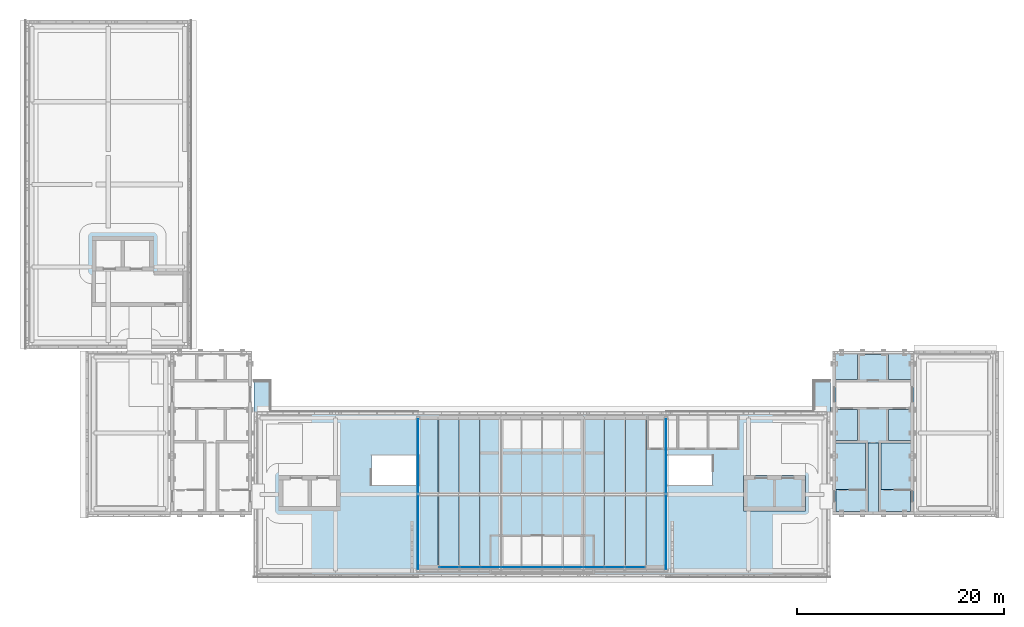
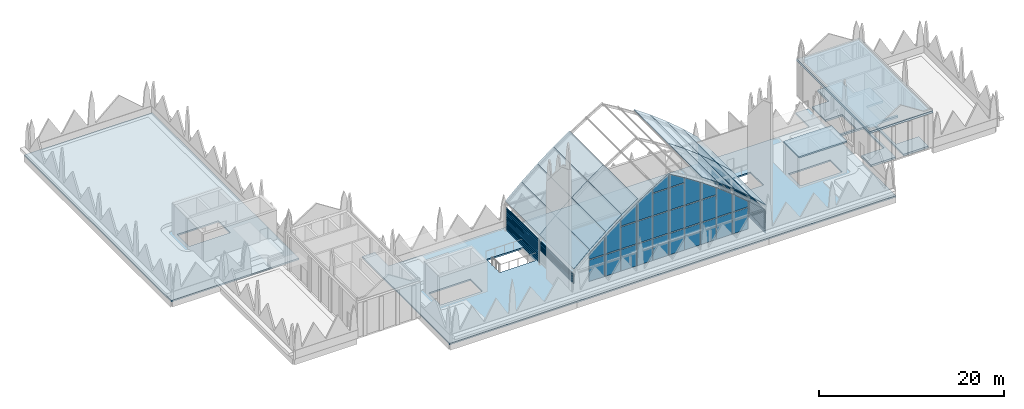
# One storey, part 8 of 18: 69 plates, 21 slabs, 1 element without a shape of its own.
"""IFC4 building model written with IfcOpenShell, lengths in metres."""

from ifc_helpers import new_model, si_unit, direction, frame, origin, origin_2d, place, context, subcontext, project, spatial, polyline, rectangle, outline, extrude, material, layer, layer_set, type_object, element, aggregate, save


model = new_model("IFC4")

# Units and contexts
model_context = context("Model", 3, precision=1e-05, world=origin(), true_north=direction((0.0, 1.0)))
body_context = subcontext(model_context, "Body", "Model", "MODEL_VIEW")
ifc_project = project(units=[si_unit("LENGTHUNIT", "METRE"), si_unit("AREAUNIT", "SQUARE_METRE"), si_unit("VOLUMEUNIT", "CUBIC_METRE"), si_unit("PLANEANGLEUNIT", "RADIAN"), si_unit("MASSUNIT", "GRAM", prefix="KILO")], contexts=[model_context])

# Site, building, storey
site_placement = place(None, origin())
site = spatial("IfcSite", under=ifc_project, at=site_placement, CompositionType="ELEMENT")
building_placement = place(site_placement, origin())
building = spatial("IfcBuilding", under=site, at=building_placement, Name="Lantern Court Media Centre", CompositionType="ELEMENT")
storey_placement = place(building_placement, frame((0.0, 0.0, 33.60009765625)))
storey = spatial("IfcBuildingStorey", under=building, at=storey_placement, Name="R00", CompositionType="ELEMENT", Elevation=33.60009765625)

# Slab
ifc_material_1 = material(Name="Concrete C40", Category="concrete")
ifc_layer_1 = layer(ifc_material_1, 0.25)
ifc_layer_set_1 = layer_set([ifc_layer_1], Name="Concrete C40")
slab_type_1 = type_object("IfcSlabType", Name="Core floor slab 250", PredefinedType="FLOOR", material=ifc_layer_set_1)
slab_1_placement = place(storey_placement, frame((0.0, 0.0, -0.25)))
element("IfcSlab", 1, at=slab_1_placement, inside=storey, type_object=slab_type_1, Name="R00 SE core floor", PredefinedType="FLOOR", context=body_context, shape_type="SweptSolid", body=[
    extrude(outline(polyline([(87.64990234375, 55.199951171875), (87.64990234375, 54.94970703125), (84.80029296875, 54.94970703125), (84.80029296875, 50.450439453125), (87.64990234375, 50.450439453125), (87.64990234375, 48.35009765625), (84.550048828125, 48.35009765625), (84.550048828125, 54.949951171875), (83.550048828125, 54.949951171875), (83.550048828125, 48.35009765625), (80.449951171875, 48.35009765625), (80.449951171875, 50.450439453125), (83.299560546875, 50.450439453125), (83.299560546875, 54.94970703125), (80.449951171875, 54.94970703125), (80.449951171875, 55.199951171875), (82.550048828125, 55.199951171875), (82.550048828125, 58.199951171875), (80.449951171875, 58.199951171875), (80.449951171875, 61.10009765625), (82.550048828125, 61.10009765625), (82.550048828125, 63.550048828125), (85.550048828125, 63.550048828125), (85.550048828125, 61.10009765625), (87.64990234375, 61.10009765625), (87.64990234375, 58.199951171875), (85.550048828125, 58.199951171875), (85.550048828125, 55.199951171875), (87.64990234375, 55.199951171875)])), origin(), (0.0, 0.0, 1.0), 0.25),
])

# Curtain wall, plates
ifc_material_2 = material(Name="Aluminium and glass", Category="aluminium")
ifc_layer_2 = layer(ifc_material_2, 0.14990234375)
ifc_layer_set_2 = layer_set([ifc_layer_2], Name="Aluminium and glass")
curtain_wall_type = type_object("IfcCurtainWallType", Name="Hall lancet glazing", PredefinedType="NOTDEFINED", material=ifc_layer_set_2)
curtain_wall_placement = place(storey_placement, origin())
curtain_wall = element("IfcCurtainWall", 2, at=curtain_wall_placement, inside=storey, type_object=curtain_wall_type, Name="Terrace pavilion HCW-V30 glazing", PredefinedType="NOTDEFINED")
ifc_material_3 = material(Name="Laminated glass 6+6", Category="glass")
ifc_layer_3 = layer(ifc_material_3, 0.028076171875)
ifc_layer_set_3 = layer_set([ifc_layer_3], Name="Laminated glass 6+6")
plate_type_1 = type_object("IfcPlateType", Name="HP", PredefinedType="CURTAIN_PANEL", material=ifc_layer_set_3)
plate_1_placement = place(storey_placement, frame((43.014892578125, 42.949951171875, 1.31982421875), z_axis=(0.0, 0.0, 1.0), x_axis=(1.0, 0.0, 0.0)))
plate_1 = element("IfcPlate", 3, at=plate_1_placement, type_object=plate_type_1, Name="HCW-V30 panel 1.1", PredefinedType="CURTAIN_PANEL", context=body_context, shape_type="SweptSolid", body=[
    extrude(rectangle(XDim=1.909912109375, YDim=0.028076171875, at=origin_2d()), origin(), (0.0, 0.0, 1.0), 2.820068359375),
])
plate_2_placement = place(storey_placement, frame((42.06005859375, 42.93603515625, 4.260009765625), z_axis=(0.0, -1.0, 0.0), x_axis=(1.0, 0.0, 0.0)))
plate_2 = element("IfcPlate", 4, at=plate_2_placement, type_object=plate_type_1, Name="HCW-V30 head panel", PredefinedType="CURTAIN_PANEL", context=body_context, shape_type="SweptSolid", body=[
    extrude(outline(polyline([(0.0, 0.0), (1.909912109375, 0.0), (1.909912109375, 2.33447265625), (0.0, 0.7216796875), (0.0, 0.0)])), origin(), (0.0, 0.0, -1.0), 0.028076171875),
])
plate_3_placement = place(storey_placement, frame((45.0, 42.949951171875, 1.31982421875), z_axis=(0.0, 0.0, 1.0), x_axis=(1.0, 0.0, 0.0)))
plate_3 = element("IfcPlate", 5, at=plate_3_placement, type_object=plate_type_1, Name="HCW-V30 panel 2.1", PredefinedType="CURTAIN_PANEL", context=body_context, shape_type="SweptSolid", body=[
    extrude(rectangle(XDim=1.93994140625, YDim=0.028076171875, at=origin_2d()), origin(), (0.0, 0.0, 1.0), 2.820068359375),
])
plate_4_placement = place(storey_placement, frame((44.030029296875, 42.93603515625, 4.260009765625), z_axis=(0.0, -1.0, 0.0), x_axis=(1.0, 0.0, 0.0)))
plate_4 = element("IfcPlate", 6, at=plate_4_placement, type_object=plate_type_1, Name="HCW-V30 head panel", PredefinedType="CURTAIN_PANEL", context=body_context, shape_type="SweptSolid", body=[
    extrude(outline(polyline([(0.0, 0.0), (1.93994140625, 0.0), (1.93994140625, 3.884521484375), (0.0, 2.383056640625), (0.0, 0.0)])), origin(), (0.0, 0.0, -1.0), 0.028076171875),
])
plate_5_placement = place(storey_placement, frame((47.0, 42.949951171875, 1.31982421875), z_axis=(0.0, 0.0, 1.0), x_axis=(1.0, 0.0, 0.0)))
plate_5 = element("IfcPlate", 7, at=plate_5_placement, type_object=plate_type_1, Name="HCW-V30 panel 3.1", PredefinedType="CURTAIN_PANEL", context=body_context, shape_type="SweptSolid", body=[
    extrude(rectangle(XDim=1.93994140625, YDim=0.028076171875, at=origin_2d()), origin(), (0.0, 0.0, 1.0), 2.820068359375),
])
plate_6_placement = place(storey_placement, frame((47.0, 42.949951171875, 4.260009765625), z_axis=(0.0, 0.0, 1.0), x_axis=(1.0, 0.0, 0.0)))
plate_6 = element("IfcPlate", 8, at=plate_6_placement, type_object=plate_type_1, Name="HCW-V30 panel 3.2", PredefinedType="CURTAIN_PANEL", context=body_context, shape_type="SweptSolid", body=[
    extrude(rectangle(XDim=1.93994140625, YDim=0.028076171875, at=origin_2d()), origin(), (0.0, 0.0, 1.0), 2.8798828125),
])
plate_7_placement = place(storey_placement, frame((46.030029296875, 42.93603515625, 7.260009765625), z_axis=(0.0, -1.0, 0.0), x_axis=(1.0, 0.0, 0.0)))
plate_7 = element("IfcPlate", 9, at=plate_7_placement, type_object=plate_type_1, Name="HCW-V30 head panel", PredefinedType="CURTAIN_PANEL", context=body_context, shape_type="SweptSolid", body=[
    extrude(outline(polyline([(0.0, 0.0), (1.93994140625, 0.0), (1.93994140625, 2.305908203125), (0.0, 0.928955078125), (0.0, 0.0)])), origin(), (0.0, 0.0, -1.0), 0.028076171875),
])
plate_8_placement = place(storey_placement, frame((49.0, 42.949951171875, 1.31982421875), z_axis=(0.0, 0.0, 1.0), x_axis=(1.0, 0.0, 0.0)))
plate_8 = element("IfcPlate", 10, at=plate_8_placement, type_object=plate_type_1, Name="HCW-V30 panel 4.1", PredefinedType="CURTAIN_PANEL", context=body_context, shape_type="SweptSolid", body=[
    extrude(rectangle(XDim=1.93994140625, YDim=0.028076171875, at=origin_2d()), origin(), (0.0, 0.0, 1.0), 2.820068359375),
])
plate_9_placement = place(storey_placement, frame((49.0, 42.949951171875, 4.260009765625), z_axis=(0.0, 0.0, 1.0), x_axis=(1.0, 0.0, 0.0)))
plate_9 = element("IfcPlate", 11, at=plate_9_placement, type_object=plate_type_1, Name="HCW-V30 panel 4.2", PredefinedType="CURTAIN_PANEL", context=body_context, shape_type="SweptSolid", body=[
    extrude(rectangle(XDim=1.93994140625, YDim=0.028076171875, at=origin_2d()), origin(), (0.0, 0.0, 1.0), 2.8798828125),
])
plate_10_placement = place(storey_placement, frame((48.030029296875, 42.93603515625, 7.260009765625), z_axis=(0.0, -1.0, 0.0), x_axis=(1.0, 0.0, 0.0)))
plate_10 = element("IfcPlate", 12, at=plate_10_placement, type_object=plate_type_1, Name="HCW-V30 head panel", PredefinedType="CURTAIN_PANEL", context=body_context, shape_type="SweptSolid", body=[
    extrude(outline(polyline([(0.0, 0.0), (1.93994140625, 0.0), (1.93994140625, 3.60888671875), (0.0, 2.3466796875), (0.0, 0.0)])), origin(), (0.0, 0.0, -1.0), 0.028076171875),
])
plate_11_placement = place(storey_placement, frame((51.0, 42.949951171875, 1.31982421875), z_axis=(0.0, 0.0, 1.0), x_axis=(1.0, 0.0, 0.0)))
plate_11 = element("IfcPlate", 13, at=plate_11_placement, type_object=plate_type_1, Name="HCW-V30 panel 5.1", PredefinedType="CURTAIN_PANEL", context=body_context, shape_type="SweptSolid", body=[
    extrude(rectangle(XDim=1.93994140625, YDim=0.028076171875, at=origin_2d()), origin(), (0.0, 0.0, 1.0), 2.820068359375),
])
plate_12_placement = place(storey_placement, frame((51.0, 42.949951171875, 4.260009765625), z_axis=(0.0, 0.0, 1.0), x_axis=(1.0, 0.0, 0.0)))
plate_12 = element("IfcPlate", 14, at=plate_12_placement, type_object=plate_type_1, Name="HCW-V30 panel 5.2", PredefinedType="CURTAIN_PANEL", context=body_context, shape_type="SweptSolid", body=[
    extrude(rectangle(XDim=1.93994140625, YDim=0.028076171875, at=origin_2d()), origin(), (0.0, 0.0, 1.0), 2.8798828125),
])
plate_13_placement = place(storey_placement, frame((51.0, 42.949951171875, 7.260009765625), z_axis=(0.0, 0.0, 1.0), x_axis=(1.0, 0.0, 0.0)))
plate_13 = element("IfcPlate", 15, at=plate_13_placement, type_object=plate_type_1, Name="HCW-V30 panel 5.3", PredefinedType="CURTAIN_PANEL", context=body_context, shape_type="SweptSolid", body=[
    extrude(rectangle(XDim=1.93994140625, YDim=0.028076171875, at=origin_2d()), origin(), (0.0, 0.0, 1.0), 2.8798828125),
])
plate_14_placement = place(storey_placement, frame((50.030029296875, 42.93603515625, 10.260009765625), z_axis=(0.0, -1.0, 0.0), x_axis=(1.0, 0.0, 0.0)))
plate_14 = element("IfcPlate", 16, at=plate_14_placement, type_object=plate_type_1, Name="HCW-V30 head panel", PredefinedType="CURTAIN_PANEL", context=body_context, shape_type="SweptSolid", body=[
    extrude(outline(polyline([(0.0, 0.0), (1.93994140625, 0.0), (1.93994140625, 1.802734375), (0.0, 0.646240234375), (0.0, 0.0)])), origin(), (0.0, 0.0, -1.0), 0.028076171875),
])
plate_15_placement = place(storey_placement, frame((53.0, 42.949951171875, 1.31982421875), z_axis=(0.0, 0.0, 1.0), x_axis=(1.0, 0.0, 0.0)))
plate_15 = element("IfcPlate", 17, at=plate_15_placement, type_object=plate_type_1, Name="HCW-V30 panel 6.1", PredefinedType="CURTAIN_PANEL", context=body_context, shape_type="SweptSolid", body=[
    extrude(rectangle(XDim=1.93994140625, YDim=0.028076171875, at=origin_2d()), origin(), (0.0, 0.0, 1.0), 2.820068359375),
])
plate_16_placement = place(storey_placement, frame((53.0, 42.949951171875, 4.260009765625), z_axis=(0.0, 0.0, 1.0), x_axis=(1.0, 0.0, 0.0)))
plate_16 = element("IfcPlate", 18, at=plate_16_placement, type_object=plate_type_1, Name="HCW-V30 panel 6.2", PredefinedType="CURTAIN_PANEL", context=body_context, shape_type="SweptSolid", body=[
    extrude(rectangle(XDim=1.93994140625, YDim=0.028076171875, at=origin_2d()), origin(), (0.0, 0.0, 1.0), 2.8798828125),
])
plate_17_placement = place(storey_placement, frame((53.0, 42.949951171875, 7.260009765625), z_axis=(0.0, 0.0, 1.0), x_axis=(1.0, 0.0, 0.0)))
plate_17 = element("IfcPlate", 19, at=plate_17_placement, type_object=plate_type_1, Name="HCW-V30 panel 6.3", PredefinedType="CURTAIN_PANEL", context=body_context, shape_type="SweptSolid", body=[
    extrude(rectangle(XDim=1.93994140625, YDim=0.028076171875, at=origin_2d()), origin(), (0.0, 0.0, 1.0), 2.8798828125),
])
plate_18_placement = place(storey_placement, frame((52.030029296875, 42.93603515625, 10.260009765625), z_axis=(0.0, -1.0, 0.0), x_axis=(1.0, 0.0, 0.0)))
plate_18 = element("IfcPlate", 20, at=plate_18_placement, type_object=plate_type_1, Name="HCW-V30 head panel", PredefinedType="CURTAIN_PANEL", context=body_context, shape_type="SweptSolid", body=[
    extrude(outline(polyline([(0.0, 0.0), (1.93994140625, 0.0), (1.93994140625, 0.646240234375), (0.0, 1.802734375), (0.0, 0.0)])), origin(), (0.0, 0.0, -1.0), 0.028076171875),
])
plate_19_placement = place(storey_placement, frame((55.0, 42.949951171875, 1.31982421875), z_axis=(0.0, 0.0, 1.0), x_axis=(1.0, 0.0, 0.0)))
plate_19 = element("IfcPlate", 21, at=plate_19_placement, type_object=plate_type_1, Name="HCW-V30 panel 7.1", PredefinedType="CURTAIN_PANEL", context=body_context, shape_type="SweptSolid", body=[
    extrude(rectangle(XDim=1.93994140625, YDim=0.028076171875, at=origin_2d()), origin(), (0.0, 0.0, 1.0), 2.820068359375),
])
plate_20_placement = place(storey_placement, frame((55.0, 42.949951171875, 4.260009765625), z_axis=(0.0, 0.0, 1.0), x_axis=(1.0, 0.0, 0.0)))
plate_20 = element("IfcPlate", 22, at=plate_20_placement, type_object=plate_type_1, Name="HCW-V30 panel 7.2", PredefinedType="CURTAIN_PANEL", context=body_context, shape_type="SweptSolid", body=[
    extrude(rectangle(XDim=1.93994140625, YDim=0.028076171875, at=origin_2d()), origin(), (0.0, 0.0, 1.0), 2.8798828125),
])
plate_21_placement = place(storey_placement, frame((54.030029296875, 42.93603515625, 7.260009765625), z_axis=(0.0, -1.0, 0.0), x_axis=(1.0, 0.0, 0.0)))
plate_21 = element("IfcPlate", 23, at=plate_21_placement, type_object=plate_type_1, Name="HCW-V30 head panel", PredefinedType="CURTAIN_PANEL", context=body_context, shape_type="SweptSolid", body=[
    extrude(outline(polyline([(0.0, 0.0), (1.93994140625, 0.0), (1.93994140625, 2.3466796875), (0.0, 3.60888671875), (0.0, 0.0)])), origin(), (0.0, 0.0, -1.0), 0.028076171875),
])
plate_22_placement = place(storey_placement, frame((57.0, 42.949951171875, 1.31982421875), z_axis=(0.0, 0.0, 1.0), x_axis=(1.0, 0.0, 0.0)))
plate_22 = element("IfcPlate", 24, at=plate_22_placement, type_object=plate_type_1, Name="HCW-V30 panel 8.1", PredefinedType="CURTAIN_PANEL", context=body_context, shape_type="SweptSolid", body=[
    extrude(rectangle(XDim=1.93994140625, YDim=0.028076171875, at=origin_2d()), origin(), (0.0, 0.0, 1.0), 2.820068359375),
])
plate_23_placement = place(storey_placement, frame((57.0, 42.949951171875, 4.260009765625), z_axis=(0.0, 0.0, 1.0), x_axis=(1.0, 0.0, 0.0)))
plate_23 = element("IfcPlate", 25, at=plate_23_placement, type_object=plate_type_1, Name="HCW-V30 panel 8.2", PredefinedType="CURTAIN_PANEL", context=body_context, shape_type="SweptSolid", body=[
    extrude(rectangle(XDim=1.93994140625, YDim=0.028076171875, at=origin_2d()), origin(), (0.0, 0.0, 1.0), 2.8798828125),
])
plate_24_placement = place(storey_placement, frame((56.030029296875, 42.93603515625, 7.260009765625), z_axis=(0.0, -1.0, 0.0), x_axis=(1.0, 0.0, 0.0)))
plate_24 = element("IfcPlate", 26, at=plate_24_placement, type_object=plate_type_1, Name="HCW-V30 head panel", PredefinedType="CURTAIN_PANEL", context=body_context, shape_type="SweptSolid", body=[
    extrude(outline(polyline([(0.0, 0.0), (1.93994140625, 0.0), (1.93994140625, 0.928955078125), (0.0, 2.305908203125), (0.0, 0.0)])), origin(), (0.0, 0.0, -1.0), 0.028076171875),
])
plate_25_placement = place(storey_placement, frame((59.0, 42.949951171875, 1.31982421875), z_axis=(0.0, 0.0, 1.0), x_axis=(1.0, 0.0, 0.0)))
plate_25 = element("IfcPlate", 27, at=plate_25_placement, type_object=plate_type_1, Name="HCW-V30 panel 9.1", PredefinedType="CURTAIN_PANEL", context=body_context, shape_type="SweptSolid", body=[
    extrude(rectangle(XDim=1.93994140625, YDim=0.028076171875, at=origin_2d()), origin(), (0.0, 0.0, 1.0), 2.820068359375),
])
plate_26_placement = place(storey_placement, frame((58.030029296875, 42.93603515625, 4.260009765625), z_axis=(0.0, -1.0, 0.0), x_axis=(1.0, 0.0, 0.0)))
plate_26 = element("IfcPlate", 28, at=plate_26_placement, type_object=plate_type_1, Name="HCW-V30 head panel", PredefinedType="CURTAIN_PANEL", context=body_context, shape_type="SweptSolid", body=[
    extrude(outline(polyline([(0.0, 0.0), (1.93994140625, 0.0), (1.93994140625, 2.383056640625), (0.0, 3.884521484375), (0.0, 0.0)])), origin(), (0.0, 0.0, -1.0), 0.028076171875),
])
plate_27_placement = place(storey_placement, frame((60.985107421875, 42.949951171875, 1.31982421875), z_axis=(0.0, 0.0, 1.0), x_axis=(1.0, 0.0, 0.0)))
plate_27 = element("IfcPlate", 29, at=plate_27_placement, type_object=plate_type_1, Name="HCW-V30 panel 10.1", PredefinedType="CURTAIN_PANEL", context=body_context, shape_type="SweptSolid", body=[
    extrude(rectangle(XDim=1.909912109375, YDim=0.028076171875, at=origin_2d()), origin(), (0.0, 0.0, 1.0), 2.820068359375),
])
plate_28_placement = place(storey_placement, frame((60.030029296875, 42.93603515625, 4.260009765625), z_axis=(0.0, -1.0, 0.0), x_axis=(1.0, 0.0, 0.0)))
plate_28 = element("IfcPlate", 30, at=plate_28_placement, type_object=plate_type_1, Name="HCW-V30 head panel", PredefinedType="CURTAIN_PANEL", context=body_context, shape_type="SweptSolid", body=[
    extrude(outline(polyline([(0.0, 0.0), (1.909912109375, 0.0), (1.909912109375, 0.7216796875), (0.0, 2.33447265625), (0.0, 0.0)])), origin(), (0.0, 0.0, -1.0), 0.028076171875),
])
aggregate(curtain_wall, [plate_1, plate_2, plate_3, plate_4, plate_5, plate_6, plate_7, plate_8, plate_9, plate_10, plate_11, plate_12, plate_13, plate_14, plate_15, plate_16, plate_17, plate_18, plate_19, plate_20, plate_21, plate_22, plate_23, plate_24, plate_25, plate_26, plate_27, plate_28])

# Slab
ifc_layer_4 = layer(ifc_material_1, 0.25)
ifc_layer_set_4 = layer_set([ifc_layer_4], Name="Concrete C40")
slab_type_2 = type_object("IfcSlabType", Name="Head-house roof slab 250", PredefinedType="ROOF", material=ifc_layer_set_4)
slab_2_placement = place(storey_placement, frame((0.0, 0.0, 4.5)))
element("IfcSlab", 31, at=slab_2_placement, inside=storey, type_object=slab_type_2, Name="SE head-house roof", PredefinedType="ROOF", context=body_context, shape_type="SweptSolid", body=[
    extrude(outline(polyline([(88.0, 48.0), (80.10009765625, 48.0), (80.10009765625, 63.89990234375), (88.0, 63.89990234375), (88.0, 48.0)])), origin(), (0.0, 0.0, 1.0), 0.25),
])

# Plates
ifc_material_4 = material(Name="Aluminium, anodised", Category="aluminium")
ifc_layer_5 = layer(ifc_material_4, 0.050048828125)
ifc_layer_set_5 = layer_set([ifc_layer_5], Name="Aluminium, anodised")
plate_type_2 = type_object("IfcPlateType", Name="Pavilion louvre blade", PredefinedType="SHEET", material=ifc_layer_set_5)
for number, where, z_axis, x_axis, name in (
    (32, (40.0, 46.300048828125, 1.94970703125), (0.0, 0.0, 1.0), (1.0, 0.0, 0.0), "Pavilion louvre blade"),
    (33, (40.0, 46.300048828125, 2.19970703125), (0.0, 0.0, 1.0), (1.0, 0.0, 0.0), "Pavilion louvre blade"),
    (34, (40.0, 46.300048828125, 2.44970703125), (0.0, 0.0, 1.0), (1.0, 0.0, 0.0), "Pavilion louvre blade"),
    (35, (40.0, 46.300048828125, 2.69970703125), (0.0, 0.0, 1.0), (1.0, 0.0, 0.0), "Pavilion louvre blade"),
    (36, (40.0, 46.300048828125, 2.94970703125), (0.0, 0.0, 1.0), (1.0, 0.0, 0.0), "Pavilion louvre blade"),
    (37, (40.0, 53.699951171875, 0.19970703125), (0.0, 0.0, 1.0), (1.0, 0.0, 0.0), "Pavilion louvre blade"),
    (38, (40.0, 53.699951171875, 0.44970703125), (0.0, 0.0, 1.0), (1.0, 0.0, 0.0), "Pavilion louvre blade"),
    (39, (40.0, 53.699951171875, 0.69970703125), (0.0, 0.0, 1.0), (1.0, 0.0, 0.0), "Pavilion louvre blade"),
    (40, (40.0, 53.699951171875, 0.94970703125), (0.0, 0.0, 1.0), (1.0, 0.0, 0.0), "Pavilion louvre blade"),
    (41, (40.0, 53.699951171875, 1.19970703125), (0.0, 0.0, 1.0), (1.0, 0.0, 0.0), "Pavilion louvre blade"),
    (42, (40.0, 53.699951171875, 1.44970703125), (0.0, 0.0, 1.0), (1.0, 0.0, 0.0), "Pavilion louvre blade"),
    (43, (40.0, 53.699951171875, 1.69970703125), (0.0, 0.0, 1.0), (1.0, 0.0, 0.0), "Pavilion louvre blade"),
    (44, (40.0, 53.699951171875, 1.94970703125), (0.0, 0.0, 1.0), (1.0, 0.0, 0.0), "Pavilion louvre blade"),
    (45, (40.0, 53.699951171875, 2.19970703125), (0.0, 0.0, 1.0), (1.0, 0.0, 0.0), "Pavilion louvre blade"),
    (46, (40.0, 53.699951171875, 2.44970703125), (0.0, 0.0, 1.0), (1.0, 0.0, 0.0), "Pavilion louvre blade"),
    (47, (40.0, 53.699951171875, 2.69970703125), (0.0, 0.0, 1.0), (1.0, 0.0, 0.0), "Pavilion louvre blade"),
    (48, (40.0, 53.699951171875, 2.94970703125), (0.0, 0.0, 1.0), (1.0, 0.0, 0.0), "Pavilion louvre blade"),
    (49, (64.0, 46.300048828125, 0.19970703125), (0.0, 0.0, 1.0), (1.0, 0.0, 0.0), "Pavilion louvre blade"),
    (50, (64.0, 46.300048828125, 0.44970703125), (0.0, 0.0, 1.0), (1.0, 0.0, 0.0), "Pavilion louvre blade"),
    (51, (64.0, 46.300048828125, 0.69970703125), (0.0, 0.0, 1.0), (1.0, 0.0, 0.0), "Pavilion louvre blade"),
    (52, (64.0, 46.300048828125, 0.94970703125), (0.0, 0.0, 1.0), (1.0, 0.0, 0.0), "Pavilion louvre blade"),
    (53, (64.0, 46.300048828125, 1.19970703125), (0.0, 0.0, 1.0), (1.0, 0.0, 0.0), "Pavilion louvre blade"),
    (54, (64.0, 46.300048828125, 1.44970703125), (0.0, 0.0, 1.0), (1.0, 0.0, 0.0), "Pavilion louvre blade"),
    (55, (64.0, 46.300048828125, 1.69970703125), (0.0, 0.0, 1.0), (1.0, 0.0, 0.0), "Pavilion louvre blade"),
    (56, (64.0, 46.300048828125, 1.94970703125), (0.0, 0.0, 1.0), (1.0, 0.0, 0.0), "Pavilion louvre blade"),
    (57, (64.0, 46.300048828125, 2.19970703125), (0.0, 0.0, 1.0), (1.0, 0.0, 0.0), "Pavilion louvre blade"),
    (58, (64.0, 46.300048828125, 2.44970703125), (0.0, 0.0, 1.0), (1.0, 0.0, 0.0), "Pavilion louvre blade"),
    (59, (64.0, 46.300048828125, 2.69970703125), (0.0, 0.0, 1.0), (1.0, 0.0, 0.0), "Pavilion louvre blade"),
    (60, (64.0, 46.300048828125, 2.94970703125), (0.0, 0.0, 1.0), (1.0, 0.0, 0.0), "Pavilion louvre blade"),
    (61, (64.0, 53.699951171875, 0.19970703125), (0.0, 0.0, 1.0), (1.0, 0.0, 0.0), "Pavilion louvre blade"),
    (62, (64.0, 53.699951171875, 0.44970703125), (0.0, 0.0, 1.0), (1.0, 0.0, 0.0), "Pavilion louvre blade"),
    (63, (64.0, 53.699951171875, 0.69970703125), (0.0, 0.0, 1.0), (1.0, 0.0, 0.0), "Pavilion louvre blade"),
    (64, (64.0, 53.699951171875, 0.94970703125), (0.0, 0.0, 1.0), (1.0, 0.0, 0.0), "Pavilion louvre blade"),
    (65, (64.0, 53.699951171875, 1.19970703125), (0.0, 0.0, 1.0), (1.0, 0.0, 0.0), "Pavilion louvre blade"),
    (66, (64.0, 53.699951171875, 1.44970703125), (0.0, 0.0, 1.0), (1.0, 0.0, 0.0), "Pavilion louvre blade"),
    (67, (64.0, 53.699951171875, 1.69970703125), (0.0, 0.0, 1.0), (1.0, 0.0, 0.0), "Pavilion louvre blade"),
    (68, (64.0, 53.699951171875, 1.94970703125), (0.0, 0.0, 1.0), (1.0, 0.0, 0.0), "Pavilion louvre blade"),
    (69, (64.0, 53.699951171875, 2.19970703125), (0.0, 0.0, 1.0), (1.0, 0.0, 0.0), "Pavilion louvre blade"),
    (70, (64.0, 53.699951171875, 2.44970703125), (0.0, 0.0, 1.0), (1.0, 0.0, 0.0), "Pavilion louvre blade"),
    (71, (64.0, 53.699951171875, 2.69970703125), (0.0, 0.0, 1.0), (1.0, 0.0, 0.0), "Pavilion louvre blade"),
    (72, (64.0, 53.699951171875, 2.94970703125), (0.0, 0.0, 1.0), (1.0, 0.0, 0.0), "Pavilion louvre blade"),
):
    element("IfcPlate", number, at=place(storey_placement, frame(where, z_axis=z_axis, x_axis=x_axis)), inside=storey, type_object=plate_type_2, Name=name, PredefinedType="SHEET", context=body_context, shape_type="SweptSolid", body=[
        extrude(rectangle(XDim=0.050048828125, YDim=7.10009765625, at=origin_2d()), origin(), (0.0, 0.0, 1.0), 0.199951171875),
    ])

# Slabs
ifc_material_5 = material(Name="Zinc standing seam on insulation")
ifc_layer_6 = layer(ifc_material_5, 0.080078125)
ifc_layer_set_6 = layer_set([ifc_layer_6], Name="Zinc standing seam on insulation")
slab_type_3 = type_object("IfcSlabType", Name="Pavilion roof panel, standing seam 80", PredefinedType="ROOF", material=ifc_layer_set_6)
slab_3_placement = place(storey_placement, frame((39.947509765625, 42.60009765625, 3.95703125), z_axis=(-0.678813284786, 0.0, 0.734310918071), x_axis=(0.734310918071, 0.0, 0.678813284786)))
element("IfcSlab", 73, at=slab_3_placement, inside=storey, type_object=slab_type_3, Name="Terrace pavilion roof panel", PredefinedType="ROOF", context=body_context, shape_type="SweptSolid", body=[
    extrude(outline(polyline([(0.0, 0.0), (2.718654784365879, 0.0), (2.718654784365879, 7.399902343750002), (0.0, 7.399902343750002), (0.0, 0.0)])), origin(), (0.0, 0.0, -1.0), 0.080078125),
])
slab_4_placement = place(storey_placement, frame((41.950439453125, 42.60009765625, 5.80810546875), z_axis=(-0.644570459699, 0.0, 0.764544912012), x_axis=(0.764544912012, 0.0, 0.644570459699)))
element("IfcSlab", 74, at=slab_4_placement, inside=storey, type_object=slab_type_3, Name="Terrace pavilion roof panel", PredefinedType="ROOF", context=body_context, shape_type="SweptSolid", body=[
    extrude(outline(polyline([(0.0, 0.0), (2.6108260203406317, 0.0), (2.6108260203406317, 7.39990234375), (0.0, 7.39990234375), (0.0, 0.0)])), origin(), (0.0, 0.0, -1.0), 0.080078125),
])
slab_5_placement = place(storey_placement, frame((43.953125, 42.60009765625, 7.496337890625), z_axis=(-0.611216048661, 0.0, 0.791463796935), x_axis=(0.791463796935, 0.0, 0.611216048661)))
element("IfcSlab", 75, at=slab_5_placement, inside=storey, type_object=slab_type_3, Name="Terrace pavilion roof panel", PredefinedType="ROOF", context=body_context, shape_type="SweptSolid", body=[
    extrude(outline(polyline([(0.0, 0.0), (2.5220278649874333, 0.0), (2.5220278649874333, 7.39990234375), (0.0, 7.39990234375), (0.0, 0.0)])), origin(), (0.0, 0.0, -1.0), 0.080078125),
])
for number, where, z_axis, x_axis, name in (
    (76, (45.955810546875, 42.60009765625, 9.042724609375), (-0.577909312803, 0.0, 0.816100990182), (0.816100990182, 0.0, 0.577909312803), "Terrace pavilion roof panel"),
    (77, (56.04833984375, 42.60009765625, 10.4560546875), (0.577909312803, 0.0, 0.816100990182), (0.816100990182, 0.0, -0.577909312803), "Terrace pavilion roof panel"),
):
    element("IfcSlab", number, at=place(storey_placement, frame(where, z_axis=z_axis, x_axis=x_axis)), inside=storey, type_object=slab_type_3, Name=name, PredefinedType="ROOF", context=body_context, shape_type="SweptSolid", body=[
        extrude(outline(polyline([(0.0, 0.0), (2.4455914566777417, 0.0), (2.4455914566777417, 7.39990234375), (0.0, 7.39990234375), (0.0, 0.0)])), origin(), (0.0, 0.0, -1.0), 0.080078125),
    ])
slab_6_placement = place(storey_placement, frame((58.05078125, 42.60009765625, 9.037841796875), z_axis=(0.611216048661, 0.0, 0.791463796935), x_axis=(0.791463796935, 0.0, -0.611216048661)))
element("IfcSlab", 78, at=slab_6_placement, inside=storey, type_object=slab_type_3, Name="Terrace pavilion roof panel", PredefinedType="ROOF", context=body_context, shape_type="SweptSolid", body=[
    extrude(outline(polyline([(0.0, 0.0), (2.5220278649874333, 0.0), (2.5220278649874333, 7.39990234375), (0.0, 7.39990234375), (0.0, 0.0)])), origin(), (0.0, 0.0, -1.0), 0.080078125),
])
slab_7_placement = place(storey_placement, frame((60.053466796875, 42.60009765625, 7.490966796875), z_axis=(0.644570459699, 0.0, 0.764544912012), x_axis=(0.764544912012, 0.0, -0.644570459699)))
element("IfcSlab", 79, at=slab_7_placement, inside=storey, type_object=slab_type_3, Name="Terrace pavilion roof panel", PredefinedType="ROOF", context=body_context, shape_type="SweptSolid", body=[
    extrude(outline(polyline([(0.0, 0.0), (2.6108260203406317, 0.0), (2.6108260203406317, 7.39990234375), (0.0, 7.39990234375), (0.0, 0.0)])), origin(), (0.0, 0.0, -1.0), 0.080078125),
])
for number, where, z_axis, x_axis, name in (
    (80, (62.05615234375, 42.60009765625, 5.802490234375), (0.678813284786, 0.0, 0.734310918071), (0.734310918071, 0.0, -0.678813284786), "Terrace pavilion roof panel"),
    (81, (39.947509765625, 50.0, 3.95703125), (-0.678813284786, 0.0, 0.734310918071), (0.734310918071, 0.0, 0.678813284786), "Terrace pavilion roof panel"),
):
    element("IfcSlab", number, at=place(storey_placement, frame(where, z_axis=z_axis, x_axis=x_axis)), inside=storey, type_object=slab_type_3, Name=name, PredefinedType="ROOF", context=body_context, shape_type="SweptSolid", body=[
        extrude(outline(polyline([(0.0, 0.0), (2.718654784365879, 0.0), (2.718654784365879, 7.399902343750002), (0.0, 7.399902343750002), (0.0, 0.0)])), origin(), (0.0, 0.0, -1.0), 0.080078125),
    ])
slab_8_placement = place(storey_placement, frame((41.950439453125, 50.0, 5.80810546875), z_axis=(-0.644570459699, 0.0, 0.764544912012), x_axis=(0.764544912012, 0.0, 0.644570459699)))
element("IfcSlab", 82, at=slab_8_placement, inside=storey, type_object=slab_type_3, Name="Terrace pavilion roof panel", PredefinedType="ROOF", context=body_context, shape_type="SweptSolid", body=[
    extrude(outline(polyline([(0.0, 0.0), (2.6108260203406317, 0.0), (2.6108260203406317, 7.39990234375), (0.0, 7.39990234375), (0.0, 0.0)])), origin(), (0.0, 0.0, -1.0), 0.080078125),
])
slab_9_placement = place(storey_placement, frame((43.953125, 50.0, 7.496337890625), z_axis=(-0.611216048661, 0.0, 0.791463796935), x_axis=(0.791463796935, 0.0, 0.611216048661)))
element("IfcSlab", 83, at=slab_9_placement, inside=storey, type_object=slab_type_3, Name="Terrace pavilion roof panel", PredefinedType="ROOF", context=body_context, shape_type="SweptSolid", body=[
    extrude(outline(polyline([(0.0, 0.0), (2.5220278649874333, 0.0), (2.5220278649874333, 7.39990234375), (0.0, 7.39990234375), (0.0, 0.0)])), origin(), (0.0, 0.0, -1.0), 0.080078125),
])
for number, where, z_axis, x_axis, name in (
    (84, (45.955810546875, 50.0, 9.042724609375), (-0.577909312803, 0.0, 0.816100990182), (0.816100990182, 0.0, 0.577909312803), "Terrace pavilion roof panel"),
    (85, (56.04833984375, 50.0, 10.4560546875), (0.577909312803, 0.0, 0.816100990182), (0.816100990182, 0.0, -0.577909312803), "Terrace pavilion roof panel"),
):
    element("IfcSlab", number, at=place(storey_placement, frame(where, z_axis=z_axis, x_axis=x_axis)), inside=storey, type_object=slab_type_3, Name=name, PredefinedType="ROOF", context=body_context, shape_type="SweptSolid", body=[
        extrude(outline(polyline([(0.0, 0.0), (2.4455914566777417, 0.0), (2.4455914566777417, 7.39990234375), (0.0, 7.39990234375), (0.0, 0.0)])), origin(), (0.0, 0.0, -1.0), 0.080078125),
    ])
slab_10_placement = place(storey_placement, frame((58.05078125, 50.0, 9.037841796875), z_axis=(0.611216048661, 0.0, 0.791463796935), x_axis=(0.791463796935, 0.0, -0.611216048661)))
element("IfcSlab", 86, at=slab_10_placement, inside=storey, type_object=slab_type_3, Name="Terrace pavilion roof panel", PredefinedType="ROOF", context=body_context, shape_type="SweptSolid", body=[
    extrude(outline(polyline([(0.0, 0.0), (2.5220278649874333, 0.0), (2.5220278649874333, 7.39990234375), (0.0, 7.39990234375), (0.0, 0.0)])), origin(), (0.0, 0.0, -1.0), 0.080078125),
])
slab_11_placement = place(storey_placement, frame((60.053466796875, 50.0, 7.490966796875), z_axis=(0.644570459699, 0.0, 0.764544912012), x_axis=(0.764544912012, 0.0, -0.644570459699)))
element("IfcSlab", 87, at=slab_11_placement, inside=storey, type_object=slab_type_3, Name="Terrace pavilion roof panel", PredefinedType="ROOF", context=body_context, shape_type="SweptSolid", body=[
    extrude(outline(polyline([(0.0, 0.0), (2.6108260203406317, 0.0), (2.6108260203406317, 7.39990234375), (0.0, 7.39990234375), (0.0, 0.0)])), origin(), (0.0, 0.0, -1.0), 0.080078125),
])
slab_12_placement = place(storey_placement, frame((62.05615234375, 50.0, 5.802490234375), z_axis=(0.678813284786, 0.0, 0.734310918071), x_axis=(0.734310918071, 0.0, -0.678813284786)))
element("IfcSlab", 88, at=slab_12_placement, inside=storey, type_object=slab_type_3, Name="Terrace pavilion roof panel", PredefinedType="ROOF", context=body_context, shape_type="SweptSolid", body=[
    extrude(outline(polyline([(0.0, 0.0), (2.718654784365879, 0.0), (2.718654784365879, 7.399902343750002), (0.0, 7.399902343750002), (0.0, 0.0)])), origin(), (0.0, 0.0, -1.0), 0.080078125),
])
ifc_material_6 = material(Name="Concrete C35", Category="concrete")
ifc_layer_7 = layer(ifc_material_6, 0.179931640625)
ifc_layer_set_7 = layer_set([ifc_layer_7], Name="Concrete C35")
slab_type_4 = type_object("IfcSlabType", Name="RC ROOF SLAB 180", PredefinedType="ROOF", material=ifc_layer_set_7)
slab_13_placement = place(storey_placement, frame((0.0, 0.0, 4.02001953125)))
element("IfcSlab", 89, at=slab_13_placement, inside=storey, type_object=slab_type_4, Name="SL-S-LC2-ROOF", PredefinedType="ROOF", context=body_context, shape_type="SweptSolid", body=[
    extrude(outline(polyline([(77.5, 48.39990234375), (77.5, 51.800048828125), (71.5, 51.800048828125), (71.5, 48.39990234375), (77.5, 48.39990234375)])), origin(), (0.0, 0.0, 1.0), 0.179931640625),
])
ifc_layer_8 = layer(ifc_material_6, 0.199951171875)
ifc_layer_set_8 = layer_set([ifc_layer_8], Name="Concrete C35")
slab_type_5 = type_object("IfcSlabType", Name="RC ROOF SLAB 200", PredefinedType="ROOF", material=ifc_layer_set_8)
slab_14_placement = place(storey_placement, frame((0.0, 0.0, -0.2001953125)))
element("IfcSlab", 90, at=slab_14_placement, inside=storey, type_object=slab_type_5, Name="SL-S-ROOF", PredefinedType="ROOF", context=body_context, shape_type="SweptSolid", body=[
    extrude(outline(polyline([(78.300048828125, 58.0), (78.300048828125, 61.0), (79.89990234375, 61.0), (79.89990234375, 58.0), (79.89990234375, 42.0), (24.10009765625, 42.0), (24.10009765625, 58.0), (24.10009765625, 61.0), (25.699951171875, 61.0), (25.699951171875, 58.0), (78.300048828125, 58.0)]), holes=[polyline([(26.89990234375, 51.39990234375), (26.89990234375, 48.800048828125), (32.10009765625, 48.800048828125), (32.10009765625, 51.39990234375), (26.89990234375, 51.39990234375)]), polyline([(71.89990234375, 51.39990234375), (71.89990234375, 48.800048828125), (77.10009765625, 48.800048828125), (77.10009765625, 51.39990234375), (71.89990234375, 51.39990234375)]), polyline([(39.99951171875, 50.900390625), (39.99951171875, 53.74951171875), (35.50048828125, 53.74951171875), (35.50048828125, 50.900390625), (39.99951171875, 50.900390625)]), polyline([(64.00048828125, 53.74951171875), (64.00048828125, 50.900390625), (68.49951171875, 50.900390625), (68.49951171875, 53.74951171875), (64.00048828125, 53.74951171875)])]), origin(), (0.0, 0.0, 1.0), 0.2001953125),
])
slab_15_placement = place(storey_placement, frame((0.0, 0.0, -0.2001953125)))
element("IfcSlab", 91, at=slab_15_placement, inside=storey, type_object=slab_type_5, Name="SL-W-ROOF", PredefinedType="ROOF", context=body_context, shape_type="SweptSolid", body=[
    extrude(outline(polyline([(2.0, 64.10009765625), (2.0, 95.89990234375), (18.0, 95.89990234375), (18.0, 64.10009765625), (2.0, 64.10009765625)]), holes=[polyline([(14.0, 74.60009765625), (8.800048828125, 74.60009765625), (8.800048828125, 72.0), (14.0, 72.0), (14.0, 74.60009765625)])]), origin(), (0.0, 0.0, 1.0), 0.2001953125),
])

save(model, "model.ifc")
